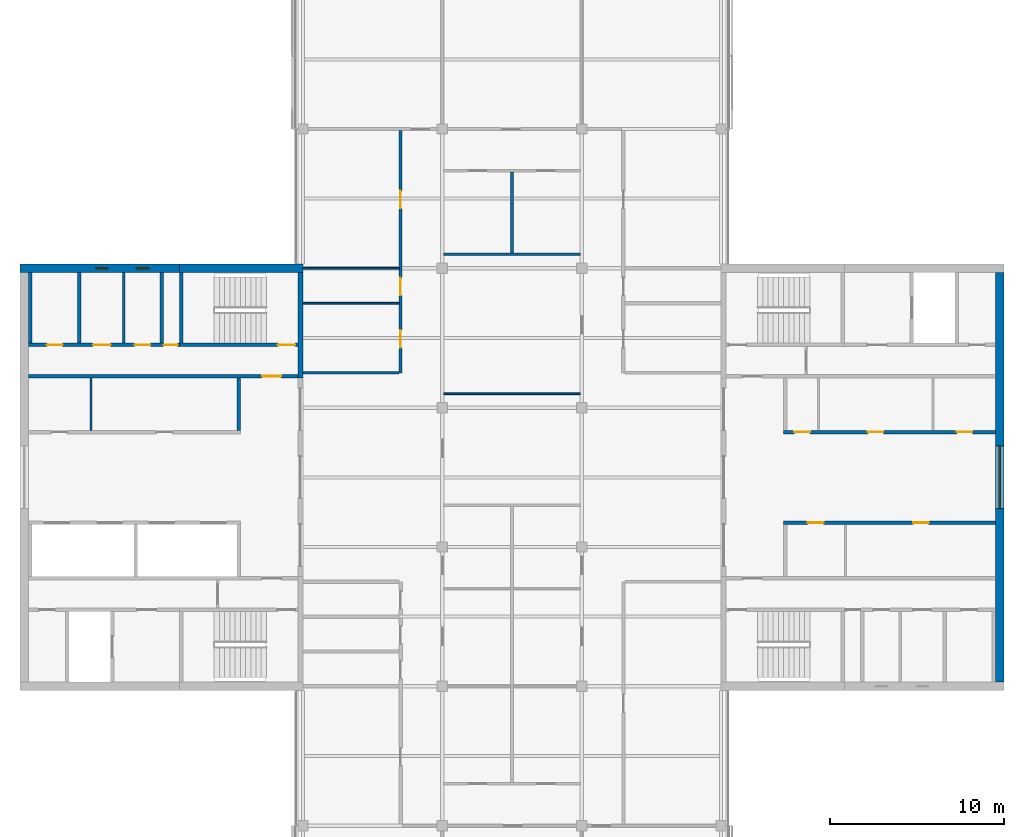
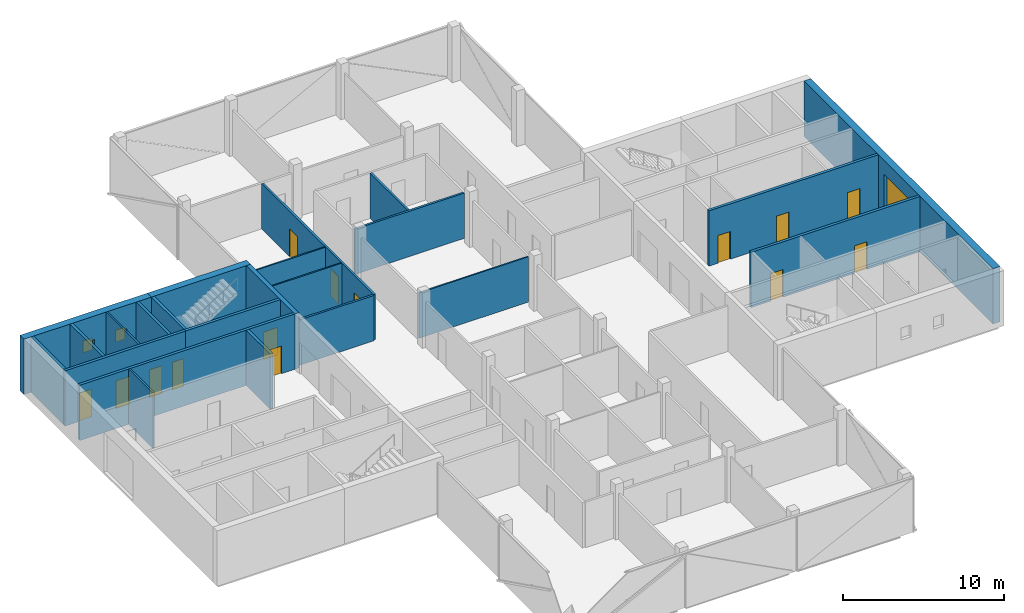
# One storey, part 11 of 16: 23 walls, 14 doors, 3 windows, 17 openings.
"""IFC4 building model written with IfcOpenShell, lengths in metres."""

from ifc_helpers import new_model, si_unit, direction, frame, frame_2d, origin, place, context, subcontext, project, spatial, rectangle, extrude, material, layer, layer_set, constituent, constituent_set, type_object, element, fill, save


model = new_model("IFC4")

# Units and contexts
model_context = context("Model", 3, precision=1e-05, world=origin(), true_north=direction((0.0, 1.0)))
body_context = subcontext(model_context, "Body", "Model", "MODEL_VIEW")
ifc_project = project(units=[si_unit("LENGTHUNIT", "METRE"), si_unit("AREAUNIT", "SQUARE_METRE"), si_unit("VOLUMEUNIT", "CUBIC_METRE"), si_unit("PLANEANGLEUNIT", "RADIAN"), si_unit("MASSUNIT", "GRAM", prefix="KILO")], contexts=[model_context])

# Site, building, storey
site_placement = place(None, origin())
site = spatial("IfcSite", under=ifc_project, at=site_placement, CompositionType="ELEMENT")
building_placement = place(site_placement, origin())
building = spatial("IfcBuilding", under=site, at=building_placement, Name="Crosswind Convention Tower", CompositionType="ELEMENT")
storey_placement = place(building_placement, frame((0.0, 0.0, 340.699951171875)))
storey = spatial("IfcBuildingStorey", under=building, at=storey_placement, Name="L74", CompositionType="ELEMENT", Elevation=340.699951171875)

# Walls
ifc_material_1 = material(Name="Concrete blockwork", Category="masonry")
ifc_layer_1 = layer(ifc_material_1, 0.199951171875)
ifc_layer_set_1 = layer_set([ifc_layer_1], Name="Blockwork partition wall 200")
wall_type_1 = type_object("IfcWallType", Name="Blockwork partition wall 200", PredefinedType="PARTITIONING", material=ifc_layer_set_1)
wall_1_placement = place(storey_placement, frame((104.89990234375, 111.75, 0.0), z_axis=(0.0, 0.0, 1.0), x_axis=(0.0, -1.0, 0.0)))
element("IfcWall", 1, at=wall_1_placement, inside=storey, type_object=wall_type_1, Name="Wall MRSE W L74", PredefinedType="PARTITIONING", context=body_context, shape_type="SweptSolid", body=[
    extrude(rectangle(XDim=4.050048828125, YDim=0.199951171875, at=frame_2d((2.02490234375, 0.0))), origin(), (0.0, 0.0, 1.0), 4.199951171875),
])
ifc_material_2 = material(Name="Concrete C50/60", Category="concrete")
ifc_layer_2 = layer(ifc_material_2, 0.300048828125)
ifc_layer_set_2 = layer_set([ifc_layer_2], Name="Concrete C50/60")
wall_type_2 = type_object("IfcWallType", Name="Concrete inner core wall 300", PredefinedType="SHEAR", material=ifc_layer_set_2)
wall_2_placement = place(storey_placement, frame((112.85009765625, 111.75, 0.0), z_axis=(0.0, 0.0, 1.0), x_axis=(0.0, -1.0, 0.0)))
element("IfcWall", 2, at=wall_2_placement, inside=storey, type_object=wall_type_2, Name="Wall EM W L74", PredefinedType="SHEAR", context=body_context, shape_type="SweptSolid", body=[
    extrude(rectangle(XDim=6.050048828125, YDim=0.300048828125, at=frame_2d((3.02490234375, 0.0))), origin(), (0.0, 0.0, 1.0), 4.199951171875),
])

# Wall, openings, doors
ifc_layer_3 = layer(ifc_material_2, 0.199951171875)
ifc_layer_set_3 = layer_set([ifc_layer_3], Name="Concrete C50/60")
wall_type_3 = type_object("IfcWallType", Name="Concrete shaft and stair wall 200", PredefinedType="SHEAR", material=ifc_layer_set_3)
wall_3_placement = place(storey_placement, frame((140.60009765625, 102.60009765625, 0.0), z_axis=(0.0, 0.0, 1.0), x_axis=(1.0, 0.0, 0.0)))
wall_3 = element("IfcWall", 3, at=wall_3_placement, inside=storey, type_object=wall_type_3, Name="Wall RPFRONT E L74", PredefinedType="SHEAR", context=body_context, shape_type="SweptSolid", body=[
    extrude(rectangle(XDim=12.14990234375, YDim=0.199951171875, at=frame_2d((6.074951171875, 0.0))), origin(), (0.0, 0.0, 1.0), 4.199951171875),
])
opening_1_placement = place(wall_3_placement, frame((0.614990234375, 0.0, 0.0)))
opening_1 = element("IfcOpeningElement", 4, at=opening_1_placement, cuts=wall_3, Name="Opening D106", PredefinedType="OPENING", context=body_context, shape_type="SweptSolid", body=[
    extrude(rectangle(XDim=0.89990234375, YDim=2.10009765625, at=frame_2d((0.449951171875, 1.050048828125))), frame((0.0, 0.10986328125, 0.0), z_axis=(0.0, -1.0, 0.0), x_axis=(1.0, 0.0, 0.0)), (0.0, 0.0, 1.0), 0.219970703125),
])
opening_2_placement = place(wall_3_placement, frame((4.828857421875, 0.0, 0.0)))
opening_2 = element("IfcOpeningElement", 5, at=opening_2_placement, cuts=wall_3, Name="Opening D106", PredefinedType="OPENING", context=body_context, shape_type="SweptSolid", body=[
    extrude(rectangle(XDim=0.89990234375, YDim=2.10009765625, at=frame_2d((0.449951171875, 1.050048828125))), frame((0.0, 0.10986328125, 0.0), z_axis=(0.0, -1.0, 0.0), x_axis=(1.0, 0.0, 0.0)), (0.0, 0.0, 1.0), 0.219970703125),
])
opening_3_placement = place(wall_3_placement, frame((9.938720703125, 0.0, 0.0)))
opening_3 = element("IfcOpeningElement", 6, at=opening_3_placement, cuts=wall_3, Name="Opening D106", PredefinedType="OPENING", context=body_context, shape_type="SweptSolid", body=[
    extrude(rectangle(XDim=0.89990234375, YDim=2.10009765625, at=frame_2d((0.449951171875, 1.050048828125))), frame((0.0, 0.10986328125, 0.0), z_axis=(0.0, -1.0, 0.0), x_axis=(1.0, 0.0, 0.0)), (0.0, 0.0, 1.0), 0.219970703125),
])
ifc_material_3 = material(Name="Timber door", Category="wood")
door_type_1 = type_object("IfcDoorType", Name="Single leaf door 900x2100", OperationType="NOTDEFINED", PredefinedType="DOOR", material=ifc_material_3)
door_1_placement = place(opening_1_placement, origin())
door_1 = element("IfcDoor", 7, at=door_1_placement, inside=storey, type_object=door_type_1, Name="Door to tenant services room L74", ObjectType="D106", OperationType="SINGLE_SWING_RIGHT", OverallHeight=2.10009765625, OverallWidth=0.89990234375, PredefinedType="DOOR", context=body_context, shape_type="SweptSolid", body=[
    extrude(rectangle(XDim=0.89990234375, YDim=2.10009765625, at=frame_2d((0.449951171875, 1.050048828125))), frame((0.0, 0.02490234375, 0.0), z_axis=(0.0, -1.0, 0.0), x_axis=(1.0, 0.0, 0.0)), (0.0, 0.0, 1.0), 0.050048828125),
])
fill(opening_1, door_1)
door_2_placement = place(opening_2_placement, origin())
door_2 = element("IfcDoor", 8, at=door_2_placement, inside=storey, type_object=door_type_1, Name="Door to copy and print room L74", ObjectType="D106", OperationType="SINGLE_SWING_RIGHT", OverallHeight=2.10009765625, OverallWidth=0.89990234375, PredefinedType="DOOR", context=body_context, shape_type="SweptSolid", body=[
    extrude(rectangle(XDim=0.89990234375, YDim=2.10009765625, at=frame_2d((0.449951171875, 1.050048828125))), frame((0.0, 0.02490234375, 0.0), z_axis=(0.0, -1.0, 0.0), x_axis=(1.0, 0.0, 0.0)), (0.0, 0.0, 1.0), 0.050048828125),
])
fill(opening_2, door_2)
door_3_placement = place(opening_3_placement, origin())
door_3 = element("IfcDoor", 9, at=door_3_placement, inside=storey, type_object=door_type_1, Name="Door to meeting room L74", ObjectType="D106", OperationType="SINGLE_SWING_RIGHT", OverallHeight=2.10009765625, OverallWidth=0.89990234375, PredefinedType="DOOR", context=body_context, shape_type="SweptSolid", body=[
    extrude(rectangle(XDim=0.89990234375, YDim=2.10009765625, at=frame_2d((0.449951171875, 1.050048828125))), frame((0.0, 0.02490234375, 0.0), z_axis=(0.0, -1.0, 0.0), x_axis=(1.0, 0.0, 0.0)), (0.0, 0.0, 1.0), 0.050048828125),
])
fill(opening_3, door_3)

wall_4_placement = place(storey_placement, frame((140.60009765625, 97.39990234375, 0.0), z_axis=(0.0, 0.0, 1.0), x_axis=(1.0, 0.0, 0.0)))
wall_4 = element("IfcWall", 10, at=wall_4_placement, inside=storey, type_object=wall_type_3, Name="Wall RMFRONT E L74", PredefinedType="SHEAR", context=body_context, shape_type="SweptSolid", body=[
    extrude(rectangle(XDim=12.14990234375, YDim=0.199951171875, at=frame_2d((6.074951171875, 0.0))), origin(), (0.0, 0.0, 1.0), 4.199951171875),
])
opening_4_placement = place(wall_4_placement, frame((1.391845703125, 0.0, 0.0)))
opening_4 = element("IfcOpeningElement", 11, at=opening_4_placement, cuts=wall_4, Name="Opening D106", PredefinedType="OPENING", context=body_context, shape_type="SweptSolid", body=[
    extrude(rectangle(XDim=0.89990234375, YDim=2.10009765625, at=frame_2d((0.449951171875, 1.050048828125))), frame((0.0, 0.10986328125, 0.0), z_axis=(0.0, -1.0, 0.0), x_axis=(1.0, 0.0, 0.0)), (0.0, 0.0, 1.0), 0.219970703125),
])
opening_5_placement = place(wall_4_placement, frame((7.42919921875, 0.0, 0.0)))
opening_5 = element("IfcOpeningElement", 12, at=opening_5_placement, cuts=wall_4, Name="Opening D106", PredefinedType="OPENING", context=body_context, shape_type="SweptSolid", body=[
    extrude(rectangle(XDim=0.89990234375, YDim=2.10009765625, at=frame_2d((0.449951171875, 1.050048828125))), frame((0.0, 0.10986328125, 0.0), z_axis=(0.0, -1.0, 0.0), x_axis=(1.0, 0.0, 0.0)), (0.0, 0.0, 1.0), 0.219970703125),
])
door_4_placement = place(opening_4_placement, frame((0.89990234375, 0.0, 0.0), z_axis=(0.0, 0.0, 1.0), x_axis=(-1.0, 0.0, 0.0)))
door_4 = element("IfcDoor", 13, at=door_4_placement, inside=storey, type_object=door_type_1, Name="Door to copy and print room L74", ObjectType="D106", OperationType="SINGLE_SWING_LEFT", OverallHeight=2.10009765625, OverallWidth=0.89990234375, PredefinedType="DOOR", context=body_context, shape_type="SweptSolid", body=[
    extrude(rectangle(XDim=0.89990234375, YDim=2.10009765625, at=frame_2d((0.449951171875, 1.050048828125))), frame((0.0, 0.02490234375, 0.0), z_axis=(0.0, -1.0, 0.0), x_axis=(1.0, 0.0, 0.0)), (0.0, 0.0, 1.0), 0.050048828125),
])
fill(opening_4, door_4)
door_5_placement = place(opening_5_placement, frame((0.89990234375, 0.0, 0.0), z_axis=(0.0, 0.0, 1.0), x_axis=(-1.0, 0.0, 0.0)))
door_5 = element("IfcDoor", 14, at=door_5_placement, inside=storey, type_object=door_type_1, Name="Door to meeting room L74", ObjectType="D106", OperationType="SINGLE_SWING_LEFT", OverallHeight=2.10009765625, OverallWidth=0.89990234375, PredefinedType="DOOR", context=body_context, shape_type="SweptSolid", body=[
    extrude(rectangle(XDim=0.89990234375, YDim=2.10009765625, at=frame_2d((0.449951171875, 1.050048828125))), frame((0.0, 0.02490234375, 0.0), z_axis=(0.0, -1.0, 0.0), x_axis=(1.0, 0.0, 0.0)), (0.0, 0.0, 1.0), 0.050048828125),
])
fill(opening_5, door_5)

# Wall
wall_5_placement = place(storey_placement, frame((109.300048828125, 105.699951171875, 0.0), z_axis=(0.0, 0.0, 1.0), x_axis=(0.0, -1.0, 0.0)))
element("IfcWall", 15, at=wall_5_placement, inside=storey, type_object=wall_type_3, Name="Wall RMEND W L74", PredefinedType="SHEAR", context=body_context, shape_type="SweptSolid", body=[
    extrude(rectangle(XDim=3.0, YDim=0.199951171875, at=frame_2d((1.5, 0.0))), origin(), (0.0, 0.0, 1.0), 4.199951171875),
])

# Wall, opening, door
wall_6_placement = place(storey_placement, frame((112.699951171875, 105.800048828125, 0.0), z_axis=(0.0, 0.0, 1.0), x_axis=(-1.0, 0.0, 0.0)))
wall_6 = element("IfcWall", 16, at=wall_6_placement, inside=storey, type_object=wall_type_3, Name="Wall HM W L74", PredefinedType="SHEAR", context=body_context, shape_type="SweptSolid", body=[
    extrude(rectangle(XDim=15.449951171875, YDim=0.199951171875, at=frame_2d((7.72509765625, 0.0))), origin(), (0.0, 0.0, 1.0), 4.199951171875),
])
opening_6_placement = place(wall_6_placement, frame((0.949951171875, 0.0, 0.0)))
opening_6 = element("IfcOpeningElement", 17, at=opening_6_placement, cuts=wall_6, Name="Opening D104", PredefinedType="OPENING", context=body_context, shape_type="SweptSolid", body=[
    extrude(rectangle(XDim=1.10009765625, YDim=2.10009765625, at=frame_2d((0.550048828125, 1.050048828125))), frame((0.0, 0.10986328125, 0.0), z_axis=(0.0, -1.0, 0.0), x_axis=(1.0, 0.0, 0.0)), (0.0, 0.0, 1.0), 0.219970703125),
])
ifc_material_4 = material(Name="Steel fire door", Category="steel")
door_type_2 = type_object("IfcDoorType", Name="Fire-rated single door 1100x2100", OperationType="NOTDEFINED", PredefinedType="DOOR", material=ifc_material_4)
door_6_placement = place(opening_6_placement, origin())
door_6 = element("IfcDoor", 18, at=door_6_placement, inside=storey, type_object=door_type_2, Name="Corridor door L74", ObjectType="D104", OperationType="SINGLE_SWING_LEFT", OverallHeight=2.10009765625, OverallWidth=1.10009765625, PredefinedType="DOOR", context=body_context, shape_type="SweptSolid", body=[
    extrude(rectangle(XDim=1.10009765625, YDim=2.10009765625, at=frame_2d((0.550048828125, 1.050048828125))), frame((0.0, 0.02490234375, 0.0), z_axis=(0.0, -1.0, 0.0), x_axis=(1.0, 0.0, 0.0)), (0.0, 0.0, 1.0), 0.050048828125),
])
fill(opening_6, door_6)

# Walls
for number, where, z_axis, x_axis, name in (
    (19, (106.0, 111.75, 0.0), (0.0, 0.0, 1.0), (0.0, -1.0, 0.0), "Wall MSE W L74"),
    (20, (100.14990234375, 111.75, 0.0), (0.0, 0.0, 1.0), (0.0, -1.0, 0.0), "Wall MFSW W L74"),
    (21, (97.35009765625, 111.75, 0.0), (0.0, 0.0, 1.0), (0.0, -1.0, 0.0), "Wall MFSE W L74"),
):
    element("IfcWall", number, at=place(storey_placement, frame(where, z_axis=z_axis, x_axis=x_axis)), inside=storey, type_object=wall_type_3, Name=name, PredefinedType="SHEAR", context=body_context, shape_type="SweptSolid", body=[
        extrude(rectangle(XDim=4.050048828125, YDim=0.199951171875, at=frame_2d((2.02490234375, 0.0))), origin(), (0.0, 0.0, 1.0), 4.199951171875),
    ])

# Wall, opening, door
wall_7_placement = place(storey_placement, frame((112.699951171875, 107.60009765625, 0.0), z_axis=(0.0, 0.0, 1.0), x_axis=(-1.0, 0.0, 0.0)))
wall_7 = element("IfcWall", 22, at=wall_7_placement, inside=storey, type_object=wall_type_3, Name="Wall MCW W L74", PredefinedType="SHEAR", context=body_context, shape_type="SweptSolid", body=[
    extrude(rectangle(XDim=6.800048828125, YDim=0.199951171875, at=frame_2d((3.39990234375, 0.0))), origin(), (0.0, 0.0, 1.0), 4.199951171875),
])
opening_7_placement = place(wall_7_placement, frame((0.14990234375, 0.0, 0.0)))
opening_7 = element("IfcOpeningElement", 23, at=opening_7_placement, cuts=wall_7, Name="Opening D103", PredefinedType="OPENING", context=body_context, shape_type="SweptSolid", body=[
    extrude(rectangle(XDim=1.0, YDim=2.10009765625, at=frame_2d((0.5, 1.050048828125))), frame((0.0, 0.10986328125, 0.0), z_axis=(0.0, -1.0, 0.0), x_axis=(1.0, 0.0, 0.0)), (0.0, 0.0, 1.0), 0.219970703125),
])
door_type_3 = type_object("IfcDoorType", Name="Fire-rated single door 1000x2100", OperationType="NOTDEFINED", PredefinedType="DOOR", material=ifc_material_4)
door_7_placement = place(opening_7_placement, frame((1.0, 0.0, 0.0), z_axis=(0.0, 0.0, 1.0), x_axis=(-1.0, 0.0, 0.0)))
door_7 = element("IfcDoor", 24, at=door_7_placement, inside=storey, type_object=door_type_3, Name="Stair ST4 door L74", ObjectType="D103", OperationType="SINGLE_SWING_RIGHT", OverallHeight=2.10009765625, OverallWidth=1.0, PredefinedType="DOOR", context=body_context, shape_type="SweptSolid", body=[
    extrude(rectangle(XDim=1.0, YDim=2.10009765625, at=frame_2d((0.5, 1.050048828125))), frame((0.0, 0.02490234375, 0.0), z_axis=(0.0, -1.0, 0.0), x_axis=(1.0, 0.0, 0.0)), (0.0, 0.0, 1.0), 0.050048828125),
])
fill(opening_7, door_7)

# Wall, openings, doors
wall_8_placement = place(storey_placement, frame((105.89990234375, 107.60009765625, 0.0), z_axis=(0.0, 0.0, 1.0), x_axis=(-1.0, 0.0, 0.0)))
wall_8 = element("IfcWall", 25, at=wall_8_placement, inside=storey, type_object=wall_type_3, Name="Wall MCX W L74", PredefinedType="SHEAR", context=body_context, shape_type="SweptSolid", body=[
    extrude(rectangle(XDim=8.64990234375, YDim=0.199951171875, at=frame_2d((4.324951171875, 0.0))), origin(), (0.0, 0.0, 1.0), 4.199951171875),
])
opening_8_placement = place(wall_8_placement, frame((0.10009765625, 0.0, 0.0)))
opening_8 = element("IfcOpeningElement", 26, at=opening_8_placement, cuts=wall_8, Name="Opening D105", PredefinedType="OPENING", context=body_context, shape_type="SweptSolid", body=[
    extrude(rectangle(XDim=0.800048828125, YDim=2.10009765625, at=frame_2d((0.39990234375, 1.050048828125))), frame((0.0, 0.10986328125, 0.0), z_axis=(0.0, -1.0, 0.0), x_axis=(1.0, 0.0, 0.0)), (0.0, 0.0, 1.0), 0.219970703125),
])
opening_9_placement = place(wall_8_placement, frame((1.665283203125, 0.0, 0.0)))
opening_9 = element("IfcOpeningElement", 27, at=opening_9_placement, cuts=wall_8, Name="Opening D106", PredefinedType="OPENING", context=body_context, shape_type="SweptSolid", body=[
    extrude(rectangle(XDim=0.89990234375, YDim=2.10009765625, at=frame_2d((0.449951171875, 1.050048828125))), frame((0.0, 0.10986328125, 0.0), z_axis=(0.0, -1.0, 0.0), x_axis=(1.0, 0.0, 0.0)), (0.0, 0.0, 1.0), 0.219970703125),
])
opening_10_placement = place(wall_8_placement, frame((3.95263671875, 0.0, 0.0)))
opening_10 = element("IfcOpeningElement", 28, at=opening_10_placement, cuts=wall_8, Name="Opening D103", PredefinedType="OPENING", context=body_context, shape_type="SweptSolid", body=[
    extrude(rectangle(XDim=1.0, YDim=2.10009765625, at=frame_2d((0.5, 1.050048828125))), frame((0.0, 0.10986328125, 0.0), z_axis=(0.0, -1.0, 0.0), x_axis=(1.0, 0.0, 0.0)), (0.0, 0.0, 1.0), 0.219970703125),
])
opening_11_placement = place(wall_8_placement, frame((6.699951171875, 0.0, 0.0)))
opening_11 = element("IfcOpeningElement", 29, at=opening_11_placement, cuts=wall_8, Name="Opening D106", PredefinedType="OPENING", context=body_context, shape_type="SweptSolid", body=[
    extrude(rectangle(XDim=0.89990234375, YDim=2.10009765625, at=frame_2d((0.449951171875, 1.050048828125))), frame((0.0, 0.10986328125, 0.0), z_axis=(0.0, -1.0, 0.0), x_axis=(1.0, 0.0, 0.0)), (0.0, 0.0, 1.0), 0.219970703125),
])
door_8_placement = place(opening_10_placement, frame((1.0, 0.0, 0.0), z_axis=(0.0, 0.0, 1.0), x_axis=(-1.0, 0.0, 0.0)))
door_8 = element("IfcDoor", 30, at=door_8_placement, inside=storey, type_object=door_type_3, Name="Door to accessible wc L74", ObjectType="D103", OperationType="SINGLE_SWING_LEFT", OverallHeight=2.10009765625, OverallWidth=1.0, PredefinedType="DOOR", context=body_context, shape_type="SweptSolid", body=[
    extrude(rectangle(XDim=1.0, YDim=2.10009765625, at=frame_2d((0.5, 1.050048828125))), frame((0.0, 0.02490234375, 0.0), z_axis=(0.0, -1.0, 0.0), x_axis=(1.0, 0.0, 0.0)), (0.0, 0.0, 1.0), 0.050048828125),
])
fill(opening_10, door_8)
door_type_4 = type_object("IfcDoorType", Name="Riser access door 800x2100", OperationType="NOTDEFINED", PredefinedType="DOOR", material=ifc_material_4)
door_9_placement = place(opening_8_placement, frame((0.800048828125, 0.0, 0.0), z_axis=(0.0, 0.0, 1.0), x_axis=(-1.0, 0.0, 0.0)))
door_9 = element("IfcDoor", 31, at=door_9_placement, inside=storey, type_object=door_type_4, Name="Riser door L74", ObjectType="D105", OperationType="SINGLE_SWING_LEFT", OverallHeight=2.10009765625, OverallWidth=0.800048828125, PredefinedType="DOOR", context=body_context, shape_type="SweptSolid", body=[
    extrude(rectangle(XDim=0.800048828125, YDim=2.10009765625, at=frame_2d((0.39990234375, 1.050048828125))), frame((0.0, 0.02490234375, 0.0), z_axis=(0.0, -1.0, 0.0), x_axis=(1.0, 0.0, 0.0)), (0.0, 0.0, 1.0), 0.050048828125),
])
fill(opening_8, door_9)
door_10_placement = place(opening_9_placement, frame((0.89990234375, 0.0, 0.0), z_axis=(0.0, 0.0, 1.0), x_axis=(-1.0, 0.0, 0.0)))
door_10 = element("IfcDoor", 32, at=door_10_placement, inside=storey, type_object=door_type_1, Name="Door to wc L74", ObjectType="D106", OperationType="SINGLE_SWING_LEFT", OverallHeight=2.10009765625, OverallWidth=0.89990234375, PredefinedType="DOOR", context=body_context, shape_type="SweptSolid", body=[
    extrude(rectangle(XDim=0.89990234375, YDim=2.10009765625, at=frame_2d((0.449951171875, 1.050048828125))), frame((0.0, 0.02490234375, 0.0), z_axis=(0.0, -1.0, 0.0), x_axis=(1.0, 0.0, 0.0)), (0.0, 0.0, 1.0), 0.050048828125),
])
fill(opening_9, door_10)
door_11_placement = place(opening_11_placement, frame((0.89990234375, 0.0, 0.0), z_axis=(0.0, 0.0, 1.0), x_axis=(-1.0, 0.0, 0.0)))
door_11 = element("IfcDoor", 33, at=door_11_placement, inside=storey, type_object=door_type_1, Name="Door to accessible wc L74", ObjectType="D106", OperationType="SINGLE_SWING_LEFT", OverallHeight=2.10009765625, OverallWidth=0.89990234375, PredefinedType="DOOR", context=body_context, shape_type="SweptSolid", body=[
    extrude(rectangle(XDim=0.89990234375, YDim=2.10009765625, at=frame_2d((0.449951171875, 1.050048828125))), frame((0.0, 0.02490234375, 0.0), z_axis=(0.0, -1.0, 0.0), x_axis=(1.0, 0.0, 0.0)), (0.0, 0.0, 1.0), 0.050048828125),
])
fill(opening_11, door_11)

# Walls
ifc_material_5 = material(Name="Gypsum plasterboard partition", Category="gypsum")
ifc_layer_4 = layer(ifc_material_5, 0.125)
ifc_layer_set_4 = layer_set([ifc_layer_4], Name="Drywall partition wall 125")
wall_type_4 = type_object("IfcWallType", Name="Drywall partition wall 125", PredefinedType="PARTITIONING", material=ifc_layer_set_4)
wall_9_placement = place(storey_placement, frame((100.8349609375, 105.699951171875, 0.0), z_axis=(0.0, 0.0, 1.0), x_axis=(0.0, -1.0, 0.0)))
element("IfcWall", 34, at=wall_9_placement, inside=storey, type_object=wall_type_4, Name="Wall RMP1 W L74", PredefinedType="PARTITIONING", context=body_context, shape_type="SweptSolid", body=[
    extrude(rectangle(XDim=3.0, YDim=0.125, at=frame_2d((1.5, 0.0))), origin(), (0.0, 0.0, 1.0), 4.199951171875),
])
wall_10_placement = place(storey_placement, frame((102.70703125, 111.75, 0.0), z_axis=(0.0, 0.0, 1.0), x_axis=(0.0, -1.0, 0.0)))
element("IfcWall", 35, at=wall_10_placement, inside=storey, type_object=wall_type_4, Name="Wall MWP1 W L74", PredefinedType="PARTITIONING", context=body_context, shape_type="SweptSolid", body=[
    extrude(rectangle(XDim=4.050048828125, YDim=0.125, at=frame_2d((2.02490234375, 0.0))), origin(), (0.0, 0.0, 1.0), 4.199951171875),
])
ifc_material_6 = material(Name="Plasterboard partition", Category="gypsum")
ifc_layer_5 = layer(ifc_material_6, 0.10009765625)
ifc_layer_set_5 = layer_set([ifc_layer_5], Name="PARTITION 100 METAL STUD")
wall_type_5 = type_object("IfcWallType", Name="PARTITION 100 METAL STUD", PredefinedType="PARTITIONING", material=ifc_layer_set_5)
wall_11_placement = place(storey_placement, frame((121.074951171875, 104.800048828125, 0.0), z_axis=(0.0, 0.0, 1.0), x_axis=(1.0, 0.0, 0.0)))
element("IfcWall", 36, at=wall_11_placement, inside=storey, type_object=wall_type_5, Name="Partition wall WT40", PredefinedType="PARTITIONING", context=body_context, shape_type="SweptSolid", body=[
    extrude(rectangle(XDim=7.85009765625, YDim=0.10009765625, at=frame_2d((3.925048828125, 0.0))), origin(), (0.0, 0.0, 1.0), 3.44287109375),
])
for number, where, z_axis, x_axis, name in (
    (37, (113.0, 110.0, 0.0), (0.0, 0.0, 1.0), (1.0, 0.0, 0.0), "Partition wall WT40"),
    (38, (113.0, 112.0, 0.0), (0.0, 0.0, 1.0), (1.0, 0.0, 0.0), "Partition wall WT40"),
):
    element("IfcWall", number, at=place(storey_placement, frame(where, z_axis=z_axis, x_axis=x_axis)), inside=storey, type_object=wall_type_5, Name=name, PredefinedType="PARTITIONING", context=body_context, shape_type="SweptSolid", body=[
        extrude(rectangle(XDim=5.52490234375, YDim=0.10009765625, at=frame_2d((2.762451171875, 0.0))), origin(), (0.0, 0.0, 1.0), 3.44287109375),
    ])

# Wall, openings, doors
ifc_material_7 = material(Name="Fire-board partition with mineral wool", Category="gypsum")
ifc_layer_6 = layer(ifc_material_7, 0.14990234375)
ifc_layer_set_6 = layer_set([ifc_layer_6], Name="TENANCY WALL 150 TWO-HOUR BOARD")
wall_type_6 = type_object("IfcWallType", Name="TENANCY WALL 150 TWO-HOUR BOARD", PredefinedType="PARTITIONING", material=ifc_layer_set_6)
wall_12_placement = place(storey_placement, frame((118.60009765625, 106.0, 0.0), z_axis=(0.0, 0.0, 1.0), x_axis=(0.0, 1.0, 0.0)))
wall_12 = element("IfcWall", 39, at=wall_12_placement, inside=storey, type_object=wall_type_6, Name="Tenancy wall WT41", PredefinedType="PARTITIONING", context=body_context, shape_type="SweptSolid", body=[
    extrude(rectangle(XDim=13.925048828125, YDim=0.14990234375, at=frame_2d((6.96240234375, 0.0))), origin(), (0.0, 0.0, 1.0), 3.44287109375),
])
opening_12_placement = place(wall_12_placement, frame((1.449951171875, 0.0, 0.0)))
opening_12 = element("IfcOpeningElement", 40, at=opening_12_placement, cuts=wall_12, Name="Opening L74-54", PredefinedType="OPENING", context=body_context, shape_type="SweptSolid", body=[
    extrude(rectangle(XDim=1.0, YDim=2.10009765625, at=frame_2d((0.5, 1.050048828125))), frame((0.0, 0.0849609375, 0.0), z_axis=(0.0, -1.0, 0.0), x_axis=(1.0, 0.0, 0.0)), (0.0, 0.0, 1.0), 0.169921875),
])
opening_13_placement = place(wall_12_placement, frame((4.449951171875, 0.0, 0.0)))
opening_13 = element("IfcOpeningElement", 41, at=opening_13_placement, cuts=wall_12, Name="Opening L74-55", PredefinedType="OPENING", context=body_context, shape_type="SweptSolid", body=[
    extrude(rectangle(XDim=1.0, YDim=2.10009765625, at=frame_2d((0.5, 1.050048828125))), frame((0.0, 0.0849609375, 0.0), z_axis=(0.0, -1.0, 0.0), x_axis=(1.0, 0.0, 0.0)), (0.0, 0.0, 1.0), 0.169921875),
])
opening_14_placement = place(wall_12_placement, frame((9.449951171875, 0.0, 0.0)))
opening_14 = element("IfcOpeningElement", 42, at=opening_14_placement, cuts=wall_12, Name="Opening L74-56", PredefinedType="OPENING", context=body_context, shape_type="SweptSolid", body=[
    extrude(rectangle(XDim=1.0, YDim=2.10009765625, at=frame_2d((0.5, 1.050048828125))), frame((0.0, 0.0849609375, 0.0), z_axis=(0.0, -1.0, 0.0), x_axis=(1.0, 0.0, 0.0)), (0.0, 0.0, 1.0), 0.169921875),
])
ifc_material_8 = material(Name="Timber fire door", Category="wood")
door_type_5 = type_object("IfcDoorType", Name="TENANCY ENTRANCE DOOR 1000X2100 FD30S", OperationType="NOTDEFINED", PredefinedType="DOOR", material=ifc_material_8)
door_12_placement = place(opening_12_placement, origin())
door_12 = element("IfcDoor", 43, at=door_12_placement, inside=storey, type_object=door_type_5, Name="Door L74-54", ObjectType="D41", OperationType="SINGLE_SWING_LEFT", OverallHeight=2.10009765625, OverallWidth=1.0, PredefinedType="DOOR", context=body_context, shape_type="SweptSolid", body=[
    extrude(rectangle(XDim=1.0, YDim=2.10009765625, at=frame_2d((0.5, 1.050048828125))), frame((0.0, 0.02490234375, 0.0), z_axis=(0.0, -1.0, 0.0), x_axis=(1.0, 0.0, 0.0)), (0.0, 0.0, 1.0), 0.050048828125),
])
fill(opening_12, door_12)
door_13_placement = place(opening_13_placement, origin())
door_13 = element("IfcDoor", 44, at=door_13_placement, inside=storey, type_object=door_type_5, Name="Door L74-55", ObjectType="D41", OperationType="SINGLE_SWING_LEFT", OverallHeight=2.10009765625, OverallWidth=1.0, PredefinedType="DOOR", context=body_context, shape_type="SweptSolid", body=[
    extrude(rectangle(XDim=1.0, YDim=2.10009765625, at=frame_2d((0.5, 1.050048828125))), frame((0.0, 0.02490234375, 0.0), z_axis=(0.0, -1.0, 0.0), x_axis=(1.0, 0.0, 0.0)), (0.0, 0.0, 1.0), 0.050048828125),
])
fill(opening_13, door_13)
door_14_placement = place(opening_14_placement, origin())
door_14 = element("IfcDoor", 45, at=door_14_placement, inside=storey, type_object=door_type_5, Name="Door L74-56", ObjectType="D41", OperationType="SINGLE_SWING_LEFT", OverallHeight=2.10009765625, OverallWidth=1.0, PredefinedType="DOOR", context=body_context, shape_type="SweptSolid", body=[
    extrude(rectangle(XDim=1.0, YDim=2.10009765625, at=frame_2d((0.5, 1.050048828125))), frame((0.0, 0.02490234375, 0.0), z_axis=(0.0, -1.0, 0.0), x_axis=(1.0, 0.0, 0.0)), (0.0, 0.0, 1.0), 0.050048828125),
])
fill(opening_14, door_14)

# Walls
wall_13_placement = place(storey_placement, frame((125.0, 112.875, 0.0), z_axis=(0.0, 0.0, 1.0), x_axis=(0.0, 1.0, 0.0)))
element("IfcWall", 46, at=wall_13_placement, inside=storey, type_object=wall_type_6, Name="Tenancy wall WT41", PredefinedType="PARTITIONING", context=body_context, shape_type="SweptSolid", body=[
    extrude(rectangle(XDim=4.64990234375, YDim=0.14990234375, at=frame_2d((2.324951171875, 0.0))), origin(), (0.0, 0.0, 1.0), 3.44287109375),
])
wall_14_placement = place(storey_placement, frame((113.0, 106.0, 0.0), z_axis=(0.0, 0.0, 1.0), x_axis=(1.0, 0.0, 0.0)))
element("IfcWall", 47, at=wall_14_placement, inside=storey, type_object=wall_type_6, Name="Tenancy wall WT41", PredefinedType="PARTITIONING", context=body_context, shape_type="SweptSolid", body=[
    extrude(rectangle(XDim=5.52490234375, YDim=0.14990234375, at=frame_2d((2.762451171875, 0.0))), origin(), (0.0, 0.0, 1.0), 3.44287109375),
])
wall_15_placement = place(storey_placement, frame((121.074951171875, 112.800048828125, 0.0), z_axis=(0.0, 0.0, 1.0), x_axis=(1.0, 0.0, 0.0)))
element("IfcWall", 48, at=wall_15_placement, inside=storey, type_object=wall_type_6, Name="Tenancy wall WT41", PredefinedType="PARTITIONING", context=body_context, shape_type="SweptSolid", body=[
    extrude(rectangle(XDim=7.85009765625, YDim=0.14990234375, at=frame_2d((3.925048828125, 0.0))), origin(), (0.0, 0.0, 1.0), 3.44287109375),
])

# Wall, opening, window
ifc_material_9 = material(Name="Concrete C60/75", Category="concrete")
ifc_constituent_1 = constituent(ifc_material_9, Name="Structure")
ifc_material_10 = material(Name="Terracotta rainscreen", Category="ceramic")
ifc_constituent_2 = constituent(ifc_material_10, Name="Facing")
ifc_constituent_set = constituent_set(constituents=[ifc_constituent_1, ifc_constituent_2], Name="Concrete C60/75, Terracotta rainscreen")
wall_type_7 = type_object("IfcWallType", Name="Terracotta rainscreen on concrete core wall 500", PredefinedType="SHEAR", material=ifc_constituent_set)
wall_16_placement = place(storey_placement, frame((153.0, 88.25, 0.0), z_axis=(0.0, 0.0, 1.0), x_axis=(0.0, 1.0, 0.0)))
wall_16 = element("IfcWall", 49, at=wall_16_placement, inside=storey, type_object=wall_type_7, Name="Wall O E L74", PredefinedType="SHEAR", context=body_context, shape_type="SweptSolid", body=[
    extrude(rectangle(XDim=23.5, YDim=0.5, at=frame_2d((11.75, 0.0))), origin(), (0.0, 0.0, 1.0), 4.199951171875),
])
opening_15_placement = place(wall_16_placement, frame((9.949951171875, 0.0, 0.14990234375)))
opening_15 = element("IfcOpeningElement", 50, at=opening_15_placement, cuts=wall_16, Name="Opening W1", PredefinedType="OPENING", context=body_context, shape_type="SweptSolid", body=[
    extrude(rectangle(XDim=3.60009765625, YDim=3.0, at=frame_2d((1.800048828125, 1.5))), frame((0.0, 0.260009765625, 0.0), z_axis=(0.0, -1.0, 0.0), x_axis=(1.0, 0.0, 0.0)), (0.0, 0.0, 1.0), 0.52001953125),
])
ifc_material_11 = material(Name="Clear laminated glass in aluminium frame", Category="aluminium")
window_type_1 = type_object("IfcWindowType", Name="Lobby end window 3600x3000", PartitioningType="SINGLE_PANEL", PredefinedType="WINDOW", material=ifc_material_11)
window_1_placement = place(opening_15_placement, origin())
window_1 = element("IfcWindow", 51, at=window_1_placement, inside=storey, type_object=window_type_1, Name="Lobby end window L74", ObjectType="W1", OverallHeight=3.0, OverallWidth=3.60009765625, PartitioningType="SINGLE_PANEL", PredefinedType="WINDOW", context=body_context, shape_type="SweptSolid", body=[
    extrude(rectangle(XDim=3.60009765625, YDim=3.0, at=frame_2d((1.800048828125, 1.5))), frame((0.0, 0.030029296875, 0.0), z_axis=(0.0, -1.0, 0.0), x_axis=(1.0, 0.0, 0.0)), (0.0, 0.0, 1.0), 0.06005859375),
])
fill(opening_15, window_1)

# Wall
wall_17_placement = place(storey_placement, frame((113.0, 112.0, 0.0), z_axis=(0.0, 0.0, 1.0), x_axis=(-1.0, 0.0, 0.0)))
element("IfcWall", 52, at=wall_17_placement, inside=storey, type_object=wall_type_7, Name="Wall S1 W L74", PredefinedType="SHEAR", context=body_context, shape_type="SweptSolid", body=[
    extrude(rectangle(XDim=7.10009765625, YDim=0.5, at=frame_2d((3.550048828125, 0.0))), origin(), (0.0, 0.0, 1.0), 4.199951171875),
])

# Wall, openings, windows
wall_18_placement = place(storey_placement, frame((105.89990234375, 112.0, 0.0), z_axis=(0.0, 0.0, 1.0), x_axis=(-1.0, 0.0, 0.0)))
wall_18 = element("IfcWall", 53, at=wall_18_placement, inside=storey, type_object=wall_type_7, Name="Wall S2 W L74", PredefinedType="SHEAR", context=body_context, shape_type="SweptSolid", body=[
    extrude(rectangle(XDim=9.14990234375, YDim=0.5, at=frame_2d((4.574951171875, 0.0))), origin(), (0.0, 0.0, 1.0), 4.199951171875),
])
opening_16_placement = place(wall_18_placement, frame((1.76513671875, 0.0, 1.5)))
opening_16 = element("IfcOpeningElement", 54, at=opening_16_placement, cuts=wall_18, Name="Opening W2", PredefinedType="OPENING", context=body_context, shape_type="SweptSolid", body=[
    extrude(rectangle(XDim=0.699951171875, YDim=0.89990234375, at=frame_2d((0.35009765625, 0.449951171875))), frame((0.0, 0.260009765625, 0.0), z_axis=(0.0, -1.0, 0.0), x_axis=(1.0, 0.0, 0.0)), (0.0, 0.0, 1.0), 0.52001953125),
])
opening_17_placement = place(wall_18_placement, frame((4.102783203125, 0.0, 1.5)))
opening_17 = element("IfcOpeningElement", 55, at=opening_17_placement, cuts=wall_18, Name="Opening W2", PredefinedType="OPENING", context=body_context, shape_type="SweptSolid", body=[
    extrude(rectangle(XDim=0.699951171875, YDim=0.89990234375, at=frame_2d((0.35009765625, 0.449951171875))), frame((0.0, 0.260009765625, 0.0), z_axis=(0.0, -1.0, 0.0), x_axis=(1.0, 0.0, 0.0)), (0.0, 0.0, 1.0), 0.52001953125),
])
ifc_material_12 = material(Name="Obscure glass in aluminium frame", Category="aluminium")
window_type_2 = type_object("IfcWindowType", Name="WC window 700x900", PartitioningType="SINGLE_PANEL", PredefinedType="WINDOW", material=ifc_material_12)
window_2_placement = place(opening_16_placement, origin())
window_2 = element("IfcWindow", 56, at=window_2_placement, inside=storey, type_object=window_type_2, Name="WC window L74", ObjectType="W2", OverallHeight=0.89990234375, OverallWidth=0.699951171875, PartitioningType="SINGLE_PANEL", PredefinedType="WINDOW", context=body_context, shape_type="SweptSolid", body=[
    extrude(rectangle(XDim=0.699951171875, YDim=0.89990234375, at=frame_2d((0.35009765625, 0.449951171875))), frame((0.0, 0.030029296875, 0.0), z_axis=(0.0, -1.0, 0.0), x_axis=(1.0, 0.0, 0.0)), (0.0, 0.0, 1.0), 0.06005859375),
])
fill(opening_16, window_2)
window_3_placement = place(opening_17_placement, origin())
window_3 = element("IfcWindow", 57, at=window_3_placement, inside=storey, type_object=window_type_2, Name="WC window L74", ObjectType="W2", OverallHeight=0.89990234375, OverallWidth=0.699951171875, PartitioningType="SINGLE_PANEL", PredefinedType="WINDOW", context=body_context, shape_type="SweptSolid", body=[
    extrude(rectangle(XDim=0.699951171875, YDim=0.89990234375, at=frame_2d((0.35009765625, 0.449951171875))), frame((0.0, 0.030029296875, 0.0), z_axis=(0.0, -1.0, 0.0), x_axis=(1.0, 0.0, 0.0)), (0.0, 0.0, 1.0), 0.06005859375),
])
fill(opening_17, window_3)

save(model, "model.ifc")
